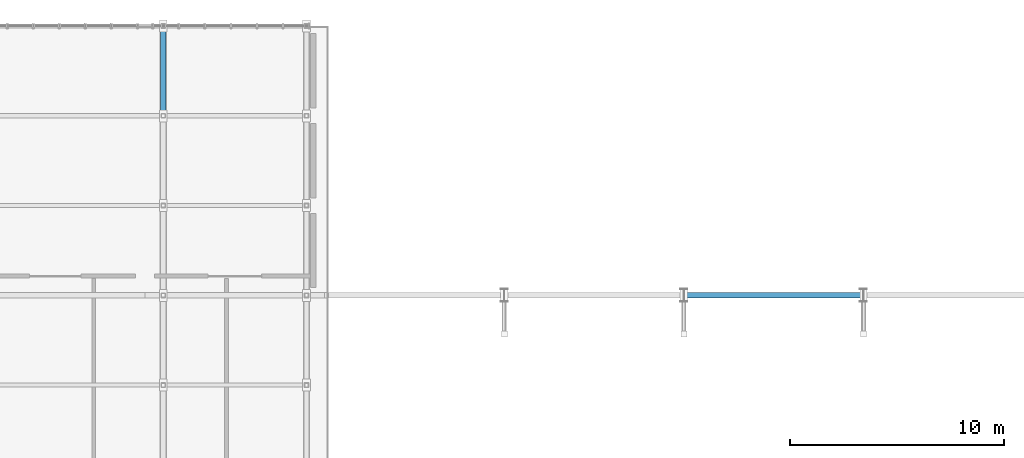
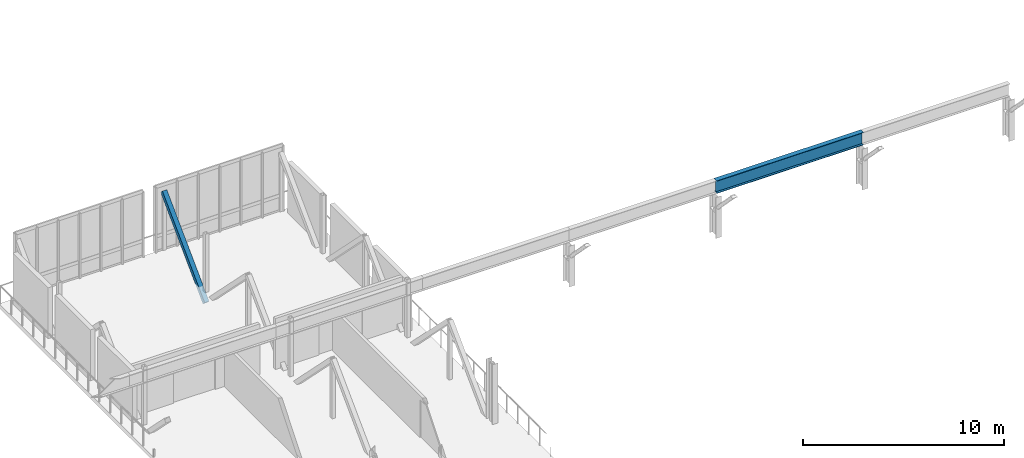
# One storey, part 58 of 107: 1 beam, 1 member.
"""IFC4 building model written with IfcOpenShell, lengths in metres."""

from ifc_helpers import new_model, si_unit, derived_unit, direction, frame, origin, origin_2d, place, context, subcontext, project, spatial, hollow_rectangle, i_section, extrude, material, material_profile, profile_set, type_object, element, save


model = new_model("IFC4")

# Units and contexts
model_context = context("Model", 3, precision=1e-05, world=origin(), true_north=direction((0.0, 1.0)))
body_context = subcontext(model_context, "Body", "Model", "MODEL_VIEW")
ifc_project = project(units=[si_unit("LENGTHUNIT", "METRE"), si_unit("AREAUNIT", "SQUARE_METRE"), si_unit("VOLUMEUNIT", "CUBIC_METRE"), si_unit("PLANEANGLEUNIT", "RADIAN"), si_unit("MASSUNIT", "GRAM", prefix="KILO"), derived_unit("THERMALTRANSMITTANCEUNIT", [(si_unit("MASSUNIT", "GRAM", prefix="KILO"), 1), (si_unit("TIMEUNIT", "SECOND"), -3), (si_unit("THERMODYNAMICTEMPERATUREUNIT", "KELVIN"), -1)])], contexts=[model_context])

# Site, building, storey
site_placement = place(None, origin())
site = spatial("IfcSite", under=ifc_project, at=site_placement, CompositionType="ELEMENT")
building_placement = place(site_placement, origin())
building = spatial("IfcBuilding", under=site, at=building_placement, Name="Makaiwela Harbour Ferry Terminal", CompositionType="ELEMENT")
storey_placement = place(building_placement, frame((0.0, 0.0, 9.60009765625)))
storey = spatial("IfcBuildingStorey", under=building, at=storey_placement, Name="L02", CompositionType="ELEMENT", Elevation=9.60009765625)

# Member
ifc_material_1 = material(Name="Steel ASTM A500 Grade C", Category="steel")
ifc_material_profile_1 = material_profile(ifc_material_1, hollow_rectangle(XDim=0.25390625, YDim=0.25390625, WallThickness=0.0146484375, at=origin_2d()), Name="HSS10X10X5/8")
ifc_profile_set_1 = profile_set([ifc_material_profile_1], Name="Steel ASTM A500 Grade C")
member_type = type_object("IfcMemberType", Name="STR-BRC-HSS10", PredefinedType="BRACE", material=ifc_profile_set_1)
member_placement = place(storey_placement, frame((97.449951171875, 111.800048828125, -0.685546875), z_axis=(0.0, 0.705423542875, 0.708786022124), x_axis=(-1.0, 0.0, 0.0)))
element("IfcMember", 1, at=member_placement, inside=storey, type_object=member_type, Name="Structural Member BR-01", PredefinedType="BRACE", context=body_context, shape_type="SweptSolid", body=[
    extrude(hollow_rectangle(XDim=0.25390625, YDim=0.25390625, WallThickness=0.0146484375, at=origin_2d()), origin(), (0.0, 0.0, 1.0), 5.953857421875),
])

# Beam
ifc_material_2 = material(Name="Steel ASTM A992 Grade 50", Category="steel")
ifc_material_profile_2 = material_profile(ifc_material_2, i_section(OverallWidth=0.26806640625, OverallDepth=0.77001953125, WebThickness=0.015625, FlangeThickness=0.025390625, at=origin_2d()), Name="W30X132")
ifc_profile_set_2 = profile_set([ifc_material_profile_2], Name="Steel ASTM A992 Grade 50")
beam_type = type_object("IfcBeamType", Name="STR-GRD-W30X132", PredefinedType="USERDEFINED", material=ifc_profile_set_2)
beam_placement = place(storey_placement, frame((121.800048828125, 103.39990234375, 2.949951171875), z_axis=(1.0, 0.0, 0.0), x_axis=(0.0, 1.0, 0.0)))
element("IfcBeam", 2, at=beam_placement, inside=storey, type_object=beam_type, Name="Vault springing tie girder M-8", ObjectType="GIRDER", PredefinedType="USERDEFINED", context=body_context, shape_type="SweptSolid", body=[
    extrude(i_section(OverallWidth=0.26806640625, OverallDepth=0.77001953125, WebThickness=0.015625, FlangeThickness=0.025390625, at=origin_2d()), origin(), (0.0, 0.0, 1.0), 8.39990234375),
])

save(model, "model.ifc")
